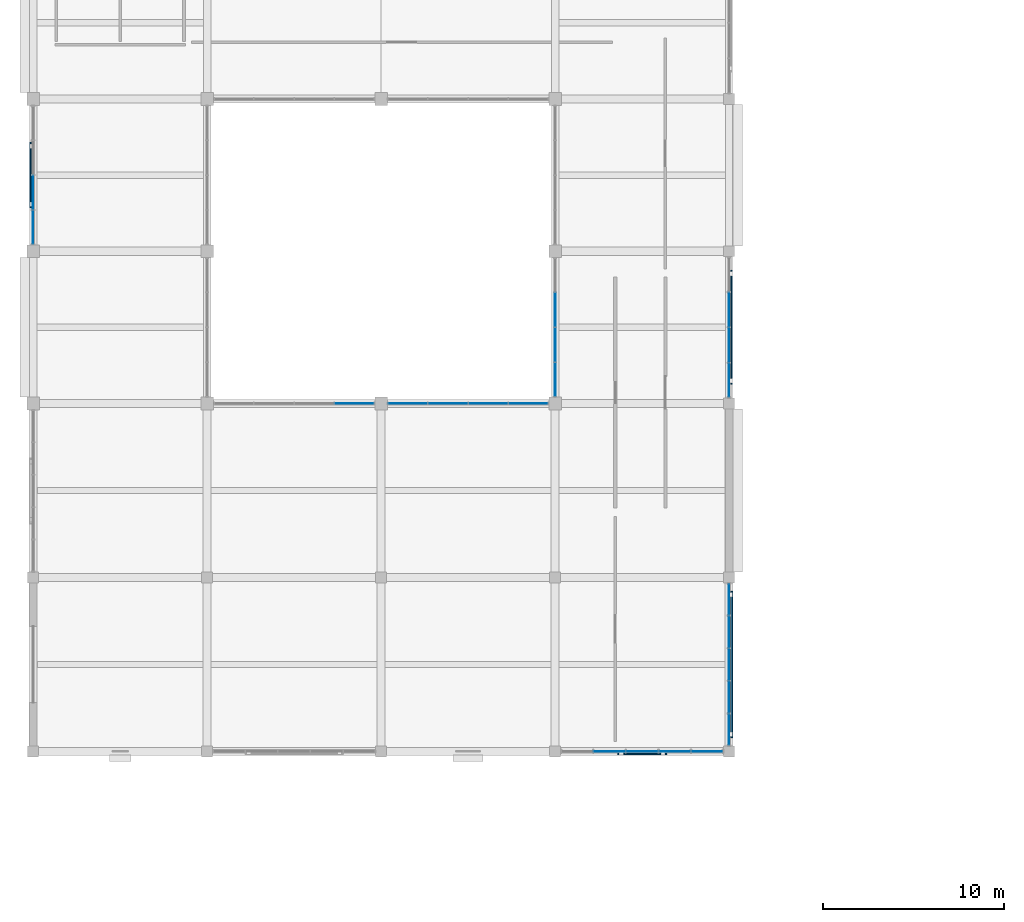
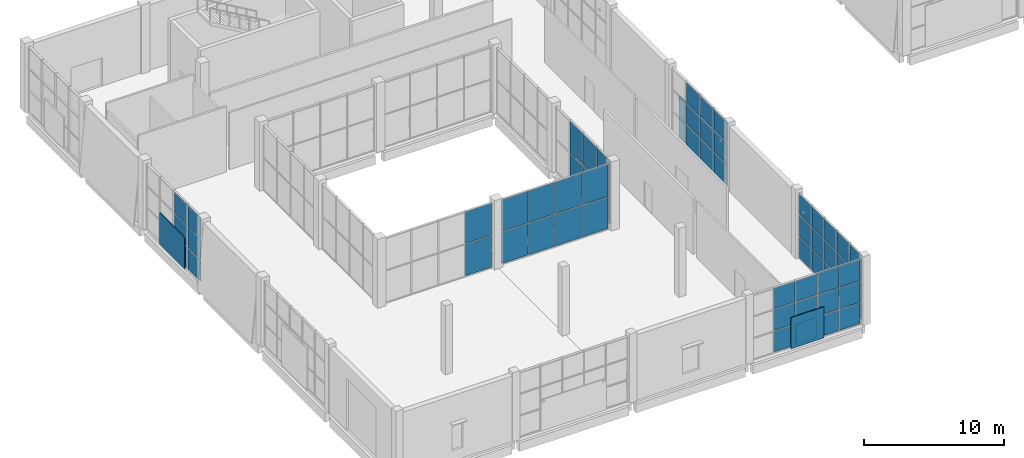
# One storey, part 46 of 84: 62 plates, 7 elements without a shape of their own.
"""IFC4 building model written with IfcOpenShell, lengths in metres."""

from ifc_helpers import new_model, si_unit, direction, frame, origin, origin_2d, place, context, subcontext, project, spatial, rectangle, extrude, material, layer, layer_set, type_object, element, aggregate, save


model = new_model("IFC4")

# Units and contexts
model_context = context("Model", 3, precision=1e-05, world=origin(), true_north=direction((0.0, 1.0)))
body_context = subcontext(model_context, "Body", "Model", "MODEL_VIEW")
ifc_project = project(units=[si_unit("LENGTHUNIT", "METRE"), si_unit("AREAUNIT", "SQUARE_METRE"), si_unit("VOLUMEUNIT", "CUBIC_METRE"), si_unit("PLANEANGLEUNIT", "RADIAN"), si_unit("MASSUNIT", "GRAM", prefix="KILO")], contexts=[model_context])

# Site, building, storey
site_placement = place(None, origin())
site = spatial("IfcSite", under=ifc_project, at=site_placement, CompositionType="ELEMENT")
building_placement = place(site_placement, origin())
building = spatial("IfcBuilding", under=site, at=building_placement, Name="Shalvenor Court Art Gallery", CompositionType="ELEMENT")
storey_placement = place(building_placement, origin())
storey = spatial("IfcBuildingStorey", under=building, at=storey_placement, Name="L00", CompositionType="ELEMENT", Elevation=0.0)

# Curtain wall, plates
ifc_material_1 = material(Name="Anodised aluminium and low-iron glass curtain wall", Category="aluminium")
curtain_wall_type_1 = type_object("IfcCurtainWallType", Name="CW-4x3-78-57-141", PredefinedType="USERDEFINED", material=ifc_material_1)
curtain_wall_1_placement = place(storey_placement, origin())
curtain_wall_1 = element("IfcCurtainWall", 1, at=curtain_wall_1_placement, inside=storey, type_object=curtain_wall_type_1, Name="L00 V5 Curtain Wall CW-L00-152", ObjectType="CURTAIN WALL", PredefinedType="USERDEFINED")
ifc_material_2 = material(Name="Low-iron UV-laminated double glazing IGU", Category="glass")
ifc_layer_1 = layer(ifc_material_2, 0.028076171875, Name="Low-iron UV-laminated double glazing IGU")
ifc_layer_set_1 = layer_set([ifc_layer_1], Name="Low-iron UV-laminated double glazing IGU")
plate_type_1 = type_object("IfcPlateType", Name="CWP-01", PredefinedType="CURTAIN_PANEL", material=ifc_layer_set_1)
plate_1_placement = place(storey_placement, frame((38.39990234375, 93.97509765625, 0.06982421875), z_axis=(0.0, 0.0, 1.0), x_axis=(0.0, -1.0, 0.0)))
plate_1 = element("IfcPlate", 2, at=plate_1_placement, type_object=plate_type_1, Name="CW-4x3-78-57-141 panel 2.1", PredefinedType="CURTAIN_PANEL", context=body_context, shape_type="SweptSolid", body=[
    extrude(rectangle(XDim=1.885009765625, YDim=0.028076171875, at=origin_2d()), origin(), (0.0, 0.0, 1.0), 1.788330078125),
])
plate_2_placement = place(storey_placement, frame((38.39990234375, 93.97509765625, 1.928466796875), z_axis=(0.0, 0.0, 1.0), x_axis=(0.0, -1.0, 0.0)))
plate_2 = element("IfcPlate", 3, at=plate_2_placement, type_object=plate_type_1, Name="CW-4x3-78-57-141 panel 2.2", PredefinedType="CURTAIN_PANEL", context=body_context, shape_type="SweptSolid", body=[
    extrude(rectangle(XDim=1.885009765625, YDim=0.028076171875, at=origin_2d()), origin(), (0.0, 0.0, 1.0), 1.8232421875),
])
plate_3_placement = place(storey_placement, frame((38.39990234375, 93.97509765625, 3.82177734375), z_axis=(0.0, 0.0, 1.0), x_axis=(0.0, -1.0, 0.0)))
plate_3 = element("IfcPlate", 4, at=plate_3_placement, type_object=plate_type_1, Name="CW-4x3-78-57-141 panel 2.3", PredefinedType="CURTAIN_PANEL", context=body_context, shape_type="SweptSolid", body=[
    extrude(rectangle(XDim=1.885009765625, YDim=0.028076171875, at=origin_2d()), origin(), (0.0, 0.0, 1.0), 1.788330078125),
])
plate_4_placement = place(storey_placement, frame((38.39990234375, 92.02490234375, 0.06982421875), z_axis=(0.0, 0.0, 1.0), x_axis=(0.0, -1.0, 0.0)))
plate_4 = element("IfcPlate", 5, at=plate_4_placement, type_object=plate_type_1, Name="CW-4x3-78-57-141 panel 3.1", PredefinedType="CURTAIN_PANEL", context=body_context, shape_type="SweptSolid", body=[
    extrude(rectangle(XDim=1.885009765625, YDim=0.028076171875, at=origin_2d()), origin(), (0.0, 0.0, 1.0), 1.788330078125),
])
plate_5_placement = place(storey_placement, frame((38.39990234375, 92.02490234375, 1.928466796875), z_axis=(0.0, 0.0, 1.0), x_axis=(0.0, -1.0, 0.0)))
plate_5 = element("IfcPlate", 6, at=plate_5_placement, type_object=plate_type_1, Name="CW-4x3-78-57-141 panel 3.2", PredefinedType="CURTAIN_PANEL", context=body_context, shape_type="SweptSolid", body=[
    extrude(rectangle(XDim=1.885009765625, YDim=0.028076171875, at=origin_2d()), origin(), (0.0, 0.0, 1.0), 1.8232421875),
])
plate_6_placement = place(storey_placement, frame((38.39990234375, 92.02490234375, 3.82177734375), z_axis=(0.0, 0.0, 1.0), x_axis=(0.0, -1.0, 0.0)))
plate_6 = element("IfcPlate", 7, at=plate_6_placement, type_object=plate_type_1, Name="CW-4x3-78-57-141 panel 3.3", PredefinedType="CURTAIN_PANEL", context=body_context, shape_type="SweptSolid", body=[
    extrude(rectangle(XDim=1.885009765625, YDim=0.028076171875, at=origin_2d()), origin(), (0.0, 0.0, 1.0), 1.788330078125),
])
plate_7_placement = place(storey_placement, frame((38.39990234375, 90.09130859375, 0.06982421875), z_axis=(0.0, 0.0, 1.0), x_axis=(0.0, -1.0, 0.0)))
plate_7 = element("IfcPlate", 8, at=plate_7_placement, type_object=plate_type_1, Name="CW-4x3-78-57-141 panel 4.1", PredefinedType="CURTAIN_PANEL", context=body_context, shape_type="SweptSolid", body=[
    extrude(rectangle(XDim=1.8525390625, YDim=0.028076171875, at=origin_2d()), origin(), (0.0, 0.0, 1.0), 1.788330078125),
])
plate_8_placement = place(storey_placement, frame((38.39990234375, 90.09130859375, 1.928466796875), z_axis=(0.0, 0.0, 1.0), x_axis=(0.0, -1.0, 0.0)))
plate_8 = element("IfcPlate", 9, at=plate_8_placement, type_object=plate_type_1, Name="CW-4x3-78-57-141 panel 4.2", PredefinedType="CURTAIN_PANEL", context=body_context, shape_type="SweptSolid", body=[
    extrude(rectangle(XDim=1.8525390625, YDim=0.028076171875, at=origin_2d()), origin(), (0.0, 0.0, 1.0), 1.8232421875),
])
plate_9_placement = place(storey_placement, frame((38.39990234375, 90.09130859375, 3.82177734375), z_axis=(0.0, 0.0, 1.0), x_axis=(0.0, -1.0, 0.0)))
plate_9 = element("IfcPlate", 10, at=plate_9_placement, type_object=plate_type_1, Name="CW-4x3-78-57-141 panel 4.3", PredefinedType="CURTAIN_PANEL", context=body_context, shape_type="SweptSolid", body=[
    extrude(rectangle(XDim=1.8525390625, YDim=0.028076171875, at=origin_2d()), origin(), (0.0, 0.0, 1.0), 1.788330078125),
])
aggregate(curtain_wall_1, [plate_1, plate_2, plate_3, plate_4, plate_5, plate_6, plate_7, plate_8, plate_9])

ifc_material_3 = material(Name="Anodised aluminium and low-iron glass curtain wall", Category="aluminium")
curtain_wall_type_2 = type_object("IfcCurtainWallType", Name="CW-5x3-90-57-211", PredefinedType="USERDEFINED", material=ifc_material_3)
curtain_wall_2_placement = place(storey_placement, origin())
curtain_wall_2 = element("IfcCurtainWall", 11, at=curtain_wall_2_placement, inside=storey, type_object=curtain_wall_type_2, Name="L00 V5 Curtain Wall CW-L00-153", ObjectType="CURTAIN WALL", PredefinedType="USERDEFINED")
plate_10_placement = place(storey_placement, frame((38.39990234375, 77.982421875, 0.06005859375), z_axis=(0.0, 0.0, 1.0), x_axis=(0.0, -1.0, 0.0)))
plate_10 = element("IfcPlate", 12, at=plate_10_placement, type_object=plate_type_1, Name="CW-5x3-90-57-211 panel 1.1", PredefinedType="CURTAIN_PANEL", context=body_context, shape_type="SweptSolid", body=[
    extrude(rectangle(XDim=1.695068359375, YDim=0.028076171875, at=origin_2d()), origin(), (0.0, 0.0, 1.0), 1.80322265625),
])
plate_11_placement = place(storey_placement, frame((38.39990234375, 77.982421875, 1.92333984375), z_axis=(0.0, 0.0, 1.0), x_axis=(0.0, -1.0, 0.0)))
plate_11 = element("IfcPlate", 13, at=plate_11_placement, type_object=plate_type_1, Name="CW-5x3-90-57-211 panel 1.2", PredefinedType="CURTAIN_PANEL", context=body_context, shape_type="SweptSolid", body=[
    extrude(rectangle(XDim=1.695068359375, YDim=0.028076171875, at=origin_2d()), origin(), (0.0, 0.0, 1.0), 1.833251953125),
])
plate_12_placement = place(storey_placement, frame((38.39990234375, 77.982421875, 3.816650390625), z_axis=(0.0, 0.0, 1.0), x_axis=(0.0, -1.0, 0.0)))
plate_12 = element("IfcPlate", 14, at=plate_12_placement, type_object=plate_type_1, Name="CW-5x3-90-57-211 panel 1.3", PredefinedType="CURTAIN_PANEL", context=body_context, shape_type="SweptSolid", body=[
    extrude(rectangle(XDim=1.695068359375, YDim=0.028076171875, at=origin_2d()), origin(), (0.0, 0.0, 1.0), 1.80322265625),
])
plate_13_placement = place(storey_placement, frame((38.39990234375, 76.199951171875, 0.06005859375), z_axis=(0.0, 0.0, 1.0), x_axis=(0.0, -1.0, 0.0)))
plate_13 = element("IfcPlate", 15, at=plate_13_placement, type_object=plate_type_1, Name="CW-5x3-90-57-211 panel 2.1", PredefinedType="CURTAIN_PANEL", context=body_context, shape_type="SweptSolid", body=[
    extrude(rectangle(XDim=1.72998046875, YDim=0.028076171875, at=origin_2d()), origin(), (0.0, 0.0, 1.0), 1.80322265625),
])
plate_14_placement = place(storey_placement, frame((38.39990234375, 76.199951171875, 1.92333984375), z_axis=(0.0, 0.0, 1.0), x_axis=(0.0, -1.0, 0.0)))
plate_14 = element("IfcPlate", 16, at=plate_14_placement, type_object=plate_type_1, Name="CW-5x3-90-57-211 panel 2.2", PredefinedType="CURTAIN_PANEL", context=body_context, shape_type="SweptSolid", body=[
    extrude(rectangle(XDim=1.72998046875, YDim=0.028076171875, at=origin_2d()), origin(), (0.0, 0.0, 1.0), 1.833251953125),
])
plate_15_placement = place(storey_placement, frame((38.39990234375, 76.199951171875, 3.816650390625), z_axis=(0.0, 0.0, 1.0), x_axis=(0.0, -1.0, 0.0)))
plate_15 = element("IfcPlate", 17, at=plate_15_placement, type_object=plate_type_1, Name="CW-5x3-90-57-211 panel 2.3", PredefinedType="CURTAIN_PANEL", context=body_context, shape_type="SweptSolid", body=[
    extrude(rectangle(XDim=1.72998046875, YDim=0.028076171875, at=origin_2d()), origin(), (0.0, 0.0, 1.0), 1.80322265625),
])
plate_16_placement = place(storey_placement, frame((38.39990234375, 74.39990234375, 0.06005859375), z_axis=(0.0, 0.0, 1.0), x_axis=(0.0, -1.0, 0.0)))
plate_16 = element("IfcPlate", 18, at=plate_16_placement, type_object=plate_type_1, Name="CW-5x3-90-57-211 panel 3.1", PredefinedType="CURTAIN_PANEL", context=body_context, shape_type="SweptSolid", body=[
    extrude(rectangle(XDim=1.72998046875, YDim=0.028076171875, at=origin_2d()), origin(), (0.0, 0.0, 1.0), 1.80322265625),
])
plate_17_placement = place(storey_placement, frame((38.39990234375, 74.39990234375, 1.92333984375), z_axis=(0.0, 0.0, 1.0), x_axis=(0.0, -1.0, 0.0)))
plate_17 = element("IfcPlate", 19, at=plate_17_placement, type_object=plate_type_1, Name="CW-5x3-90-57-211 panel 3.2", PredefinedType="CURTAIN_PANEL", context=body_context, shape_type="SweptSolid", body=[
    extrude(rectangle(XDim=1.72998046875, YDim=0.028076171875, at=origin_2d()), origin(), (0.0, 0.0, 1.0), 1.833251953125),
])
plate_18_placement = place(storey_placement, frame((38.39990234375, 74.39990234375, 3.816650390625), z_axis=(0.0, 0.0, 1.0), x_axis=(0.0, -1.0, 0.0)))
plate_18 = element("IfcPlate", 20, at=plate_18_placement, type_object=plate_type_1, Name="CW-5x3-90-57-211 panel 3.3", PredefinedType="CURTAIN_PANEL", context=body_context, shape_type="SweptSolid", body=[
    extrude(rectangle(XDim=1.72998046875, YDim=0.028076171875, at=origin_2d()), origin(), (0.0, 0.0, 1.0), 1.80322265625),
])
plate_19_placement = place(storey_placement, frame((38.39990234375, 72.60009765625, 0.06005859375), z_axis=(0.0, 0.0, 1.0), x_axis=(0.0, -1.0, 0.0)))
plate_19 = element("IfcPlate", 21, at=plate_19_placement, type_object=plate_type_1, Name="CW-5x3-90-57-211 panel 4.1", PredefinedType="CURTAIN_PANEL", context=body_context, shape_type="SweptSolid", body=[
    extrude(rectangle(XDim=1.72998046875, YDim=0.028076171875, at=origin_2d()), origin(), (0.0, 0.0, 1.0), 1.80322265625),
])
plate_20_placement = place(storey_placement, frame((38.39990234375, 72.60009765625, 1.92333984375), z_axis=(0.0, 0.0, 1.0), x_axis=(0.0, -1.0, 0.0)))
plate_20 = element("IfcPlate", 22, at=plate_20_placement, type_object=plate_type_1, Name="CW-5x3-90-57-211 panel 4.2", PredefinedType="CURTAIN_PANEL", context=body_context, shape_type="SweptSolid", body=[
    extrude(rectangle(XDim=1.72998046875, YDim=0.028076171875, at=origin_2d()), origin(), (0.0, 0.0, 1.0), 1.833251953125),
])
plate_21_placement = place(storey_placement, frame((38.39990234375, 72.60009765625, 3.816650390625), z_axis=(0.0, 0.0, 1.0), x_axis=(0.0, -1.0, 0.0)))
plate_21 = element("IfcPlate", 23, at=plate_21_placement, type_object=plate_type_1, Name="CW-5x3-90-57-211 panel 4.3", PredefinedType="CURTAIN_PANEL", context=body_context, shape_type="SweptSolid", body=[
    extrude(rectangle(XDim=1.72998046875, YDim=0.028076171875, at=origin_2d()), origin(), (0.0, 0.0, 1.0), 1.80322265625),
])
plate_22_placement = place(storey_placement, frame((38.39990234375, 70.8173828125, 0.06005859375), z_axis=(0.0, 0.0, 1.0), x_axis=(0.0, -1.0, 0.0)))
plate_22 = element("IfcPlate", 24, at=plate_22_placement, type_object=plate_type_1, Name="CW-5x3-90-57-211 panel 5.1", PredefinedType="CURTAIN_PANEL", context=body_context, shape_type="SweptSolid", body=[
    extrude(rectangle(XDim=1.695068359375, YDim=0.028076171875, at=origin_2d()), origin(), (0.0, 0.0, 1.0), 1.80322265625),
])
plate_23_placement = place(storey_placement, frame((38.39990234375, 70.8173828125, 1.92333984375), z_axis=(0.0, 0.0, 1.0), x_axis=(0.0, -1.0, 0.0)))
plate_23 = element("IfcPlate", 25, at=plate_23_placement, type_object=plate_type_1, Name="CW-5x3-90-57-211 panel 5.2", PredefinedType="CURTAIN_PANEL", context=body_context, shape_type="SweptSolid", body=[
    extrude(rectangle(XDim=1.695068359375, YDim=0.028076171875, at=origin_2d()), origin(), (0.0, 0.0, 1.0), 1.833251953125),
])
plate_24_placement = place(storey_placement, frame((38.39990234375, 70.8173828125, 3.816650390625), z_axis=(0.0, 0.0, 1.0), x_axis=(0.0, -1.0, 0.0)))
plate_24 = element("IfcPlate", 26, at=plate_24_placement, type_object=plate_type_1, Name="CW-5x3-90-57-211 panel 5.3", PredefinedType="CURTAIN_PANEL", context=body_context, shape_type="SweptSolid", body=[
    extrude(rectangle(XDim=1.695068359375, YDim=0.028076171875, at=origin_2d()), origin(), (0.0, 0.0, 1.0), 1.80322265625),
])
aggregate(curtain_wall_2, [plate_10, plate_11, plate_12, plate_13, plate_14, plate_15, plate_16, plate_17, plate_18, plate_19, plate_20, plate_21, plate_22, plate_23, plate_24])

ifc_material_4 = material(Name="Anodised aluminium and low-iron glass curtain wall", Category="aluminium")
curtain_wall_type_3 = type_object("IfcCurtainWallType", Name="CW-5x3-90-57-421", PredefinedType="USERDEFINED", material=ifc_material_4)
curtain_wall_3_placement = place(storey_placement, origin())
curtain_wall_3 = element("IfcCurtainWall", 27, at=curtain_wall_3_placement, inside=storey, type_object=curtain_wall_type_3, Name="L00 V5 Curtain Wall CW-L00-154", ObjectType="CURTAIN WALL", PredefinedType="USERDEFINED")
plate_25_placement = place(storey_placement, frame((37.18115234375, 69.60009765625, 0.06494140625), z_axis=(0.0, 0.0, 1.0), x_axis=(-1.0, 0.0, 0.0)))
plate_25 = element("IfcPlate", 28, at=plate_25_placement, type_object=plate_type_1, Name="CW-5x3-90-57-421 panel 1.1", PredefinedType="CURTAIN_PANEL", context=body_context, shape_type="SweptSolid", body=[
    extrude(rectangle(XDim=1.6875, YDim=0.028076171875, at=origin_2d()), origin(), (0.0, 0.0, 1.0), 1.7958984375),
])
plate_26_placement = place(storey_placement, frame((37.18115234375, 69.60009765625, 1.92578125), z_axis=(0.0, 0.0, 1.0), x_axis=(-1.0, 0.0, 0.0)))
plate_26 = element("IfcPlate", 29, at=plate_26_placement, type_object=plate_type_1, Name="CW-5x3-90-57-421 panel 1.2", PredefinedType="CURTAIN_PANEL", context=body_context, shape_type="SweptSolid", body=[
    extrude(rectangle(XDim=1.6875, YDim=0.028076171875, at=origin_2d()), origin(), (0.0, 0.0, 1.0), 1.828369140625),
])
plate_27_placement = place(storey_placement, frame((37.18115234375, 69.60009765625, 3.819091796875), z_axis=(0.0, 0.0, 1.0), x_axis=(-1.0, 0.0, 0.0)))
plate_27 = element("IfcPlate", 30, at=plate_27_placement, type_object=plate_type_1, Name="CW-5x3-90-57-421 panel 1.3", PredefinedType="CURTAIN_PANEL", context=body_context, shape_type="SweptSolid", body=[
    extrude(rectangle(XDim=1.6875, YDim=0.028076171875, at=origin_2d()), origin(), (0.0, 0.0, 1.0), 1.7958984375),
])
plate_28_placement = place(storey_placement, frame((35.39990234375, 69.60009765625, 0.06494140625), z_axis=(0.0, 0.0, 1.0), x_axis=(-1.0, 0.0, 0.0)))
plate_28 = element("IfcPlate", 31, at=plate_28_placement, type_object=plate_type_1, Name="CW-5x3-90-57-421 panel 2.1", PredefinedType="CURTAIN_PANEL", context=body_context, shape_type="SweptSolid", body=[
    extrude(rectangle(XDim=1.72509765625, YDim=0.028076171875, at=origin_2d()), origin(), (0.0, 0.0, 1.0), 1.7958984375),
])
plate_29_placement = place(storey_placement, frame((35.39990234375, 69.60009765625, 1.92578125), z_axis=(0.0, 0.0, 1.0), x_axis=(-1.0, 0.0, 0.0)))
plate_29 = element("IfcPlate", 32, at=plate_29_placement, type_object=plate_type_1, Name="CW-5x3-90-57-421 panel 2.2", PredefinedType="CURTAIN_PANEL", context=body_context, shape_type="SweptSolid", body=[
    extrude(rectangle(XDim=1.72509765625, YDim=0.028076171875, at=origin_2d()), origin(), (0.0, 0.0, 1.0), 1.828369140625),
])
plate_30_placement = place(storey_placement, frame((35.39990234375, 69.60009765625, 3.819091796875), z_axis=(0.0, 0.0, 1.0), x_axis=(-1.0, 0.0, 0.0)))
plate_30 = element("IfcPlate", 33, at=plate_30_placement, type_object=plate_type_1, Name="CW-5x3-90-57-421 panel 2.3", PredefinedType="CURTAIN_PANEL", context=body_context, shape_type="SweptSolid", body=[
    extrude(rectangle(XDim=1.72509765625, YDim=0.028076171875, at=origin_2d()), origin(), (0.0, 0.0, 1.0), 1.7958984375),
])
plate_31_placement = place(storey_placement, frame((33.60009765625, 69.60009765625, 0.06494140625), z_axis=(0.0, 0.0, 1.0), x_axis=(-1.0, 0.0, 0.0)))
plate_31 = element("IfcPlate", 34, at=plate_31_placement, type_object=plate_type_1, Name="CW-5x3-90-57-421 panel 3.1", PredefinedType="CURTAIN_PANEL", context=body_context, shape_type="SweptSolid", body=[
    extrude(rectangle(XDim=1.72509765625, YDim=0.028076171875, at=origin_2d()), origin(), (0.0, 0.0, 1.0), 1.7958984375),
])
plate_32_placement = place(storey_placement, frame((33.60009765625, 69.60009765625, 1.92578125), z_axis=(0.0, 0.0, 1.0), x_axis=(-1.0, 0.0, 0.0)))
plate_32 = element("IfcPlate", 35, at=plate_32_placement, type_object=plate_type_1, Name="CW-5x3-90-57-421 panel 3.2", PredefinedType="CURTAIN_PANEL", context=body_context, shape_type="SweptSolid", body=[
    extrude(rectangle(XDim=1.72509765625, YDim=0.028076171875, at=origin_2d()), origin(), (0.0, 0.0, 1.0), 1.828369140625),
])
plate_33_placement = place(storey_placement, frame((33.60009765625, 69.60009765625, 3.819091796875), z_axis=(0.0, 0.0, 1.0), x_axis=(-1.0, 0.0, 0.0)))
plate_33 = element("IfcPlate", 36, at=plate_33_placement, type_object=plate_type_1, Name="CW-5x3-90-57-421 panel 3.3", PredefinedType="CURTAIN_PANEL", context=body_context, shape_type="SweptSolid", body=[
    extrude(rectangle(XDim=1.72509765625, YDim=0.028076171875, at=origin_2d()), origin(), (0.0, 0.0, 1.0), 1.7958984375),
])
plate_34_placement = place(storey_placement, frame((31.800048828125, 69.60009765625, 0.06494140625), z_axis=(0.0, 0.0, 1.0), x_axis=(-1.0, 0.0, 0.0)))
plate_34 = element("IfcPlate", 37, at=plate_34_placement, type_object=plate_type_1, Name="CW-5x3-90-57-421 panel 4.1", PredefinedType="CURTAIN_PANEL", context=body_context, shape_type="SweptSolid", body=[
    extrude(rectangle(XDim=1.72509765625, YDim=0.028076171875, at=origin_2d()), origin(), (0.0, 0.0, 1.0), 1.7958984375),
])
plate_35_placement = place(storey_placement, frame((31.800048828125, 69.60009765625, 1.92578125), z_axis=(0.0, 0.0, 1.0), x_axis=(-1.0, 0.0, 0.0)))
plate_35 = element("IfcPlate", 38, at=plate_35_placement, type_object=plate_type_1, Name="CW-5x3-90-57-421 panel 4.2", PredefinedType="CURTAIN_PANEL", context=body_context, shape_type="SweptSolid", body=[
    extrude(rectangle(XDim=1.72509765625, YDim=0.028076171875, at=origin_2d()), origin(), (0.0, 0.0, 1.0), 1.828369140625),
])
plate_36_placement = place(storey_placement, frame((31.800048828125, 69.60009765625, 3.819091796875), z_axis=(0.0, 0.0, 1.0), x_axis=(-1.0, 0.0, 0.0)))
plate_36 = element("IfcPlate", 39, at=plate_36_placement, type_object=plate_type_1, Name="CW-5x3-90-57-421 panel 4.3", PredefinedType="CURTAIN_PANEL", context=body_context, shape_type="SweptSolid", body=[
    extrude(rectangle(XDim=1.72509765625, YDim=0.028076171875, at=origin_2d()), origin(), (0.0, 0.0, 1.0), 1.7958984375),
])
aggregate(curtain_wall_3, [plate_25, plate_26, plate_27, plate_28, plate_29, plate_30, plate_31, plate_32, plate_33, plate_34, plate_35, plate_36])

ifc_material_5 = material(Name="Anodised aluminium and low-iron glass curtain wall", Category="aluminium")
curtain_wall_type_4 = type_object("IfcCurtainWallType", Name="CW-4x3-77-57-221", PredefinedType="USERDEFINED", material=ifc_material_5)
curtain_wall_4_placement = place(storey_placement, origin())
curtain_wall_4 = element("IfcCurtainWall", 40, at=curtain_wall_4_placement, inside=storey, type_object=curtain_wall_type_4, Name="L00 V5 Curtain Wall CW-L00-157", ObjectType="CURTAIN WALL", PredefinedType="USERDEFINED")
plate_37_placement = place(storey_placement, frame((0.0, 98.530029296875, 0.06494140625), z_axis=(0.0, 0.0, 1.0), x_axis=(0.0, 1.0, 0.0)))
plate_37 = element("IfcPlate", 41, at=plate_37_placement, type_object=plate_type_1, Name="CW-4x3-77-57-221 panel 1.1", PredefinedType="CURTAIN_PANEL", context=body_context, shape_type="SweptSolid", body=[
    extrude(rectangle(XDim=1.820068359375, YDim=0.028076171875, at=origin_2d()), origin(), (0.0, 0.0, 1.0), 1.7958984375),
])
plate_38_placement = place(storey_placement, frame((0.0, 98.530029296875, 1.92578125), z_axis=(0.0, 0.0, 1.0), x_axis=(0.0, 1.0, 0.0)))
plate_38 = element("IfcPlate", 42, at=plate_38_placement, type_object=plate_type_1, Name="CW-4x3-77-57-221 panel 1.2", PredefinedType="CURTAIN_PANEL", context=body_context, shape_type="SweptSolid", body=[
    extrude(rectangle(XDim=1.820068359375, YDim=0.028076171875, at=origin_2d()), origin(), (0.0, 0.0, 1.0), 1.828369140625),
])
plate_39_placement = place(storey_placement, frame((0.0, 98.530029296875, 3.819091796875), z_axis=(0.0, 0.0, 1.0), x_axis=(0.0, 1.0, 0.0)))
plate_39 = element("IfcPlate", 43, at=plate_39_placement, type_object=plate_type_1, Name="CW-4x3-77-57-221 panel 1.3", PredefinedType="CURTAIN_PANEL", context=body_context, shape_type="SweptSolid", body=[
    extrude(rectangle(XDim=1.820068359375, YDim=0.028076171875, at=origin_2d()), origin(), (0.0, 0.0, 1.0), 1.7958984375),
])
plate_40_placement = place(storey_placement, frame((0.0, 100.4375, 0.06494140625), z_axis=(0.0, 0.0, 1.0), x_axis=(0.0, 1.0, 0.0)))
plate_40 = element("IfcPlate", 44, at=plate_40_placement, type_object=plate_type_1, Name="CW-4x3-77-57-221 panel 2.1", PredefinedType="CURTAIN_PANEL", context=body_context, shape_type="SweptSolid", body=[
    extrude(rectangle(XDim=1.85498046875, YDim=0.028076171875, at=origin_2d()), origin(), (0.0, 0.0, 1.0), 1.7958984375),
])
plate_41_placement = place(storey_placement, frame((0.0, 100.4375, 1.92578125), z_axis=(0.0, 0.0, 1.0), x_axis=(0.0, 1.0, 0.0)))
plate_41 = element("IfcPlate", 45, at=plate_41_placement, type_object=plate_type_1, Name="CW-4x3-77-57-221 panel 2.2", PredefinedType="CURTAIN_PANEL", context=body_context, shape_type="SweptSolid", body=[
    extrude(rectangle(XDim=1.85498046875, YDim=0.028076171875, at=origin_2d()), origin(), (0.0, 0.0, 1.0), 1.828369140625),
])
plate_42_placement = place(storey_placement, frame((0.0, 100.4375, 3.819091796875), z_axis=(0.0, 0.0, 1.0), x_axis=(0.0, 1.0, 0.0)))
plate_42 = element("IfcPlate", 46, at=plate_42_placement, type_object=plate_type_1, Name="CW-4x3-77-57-221 panel 2.3", PredefinedType="CURTAIN_PANEL", context=body_context, shape_type="SweptSolid", body=[
    extrude(rectangle(XDim=1.85498046875, YDim=0.028076171875, at=origin_2d()), origin(), (0.0, 0.0, 1.0), 1.7958984375),
])
aggregate(curtain_wall_4, [plate_37, plate_38, plate_39, plate_40, plate_41, plate_42])

ifc_material_6 = material(Name="Anodised aluminium and low-iron glass curtain wall", Category="aluminium")
curtain_wall_type_5 = type_object("IfcCurtainWallType", Name="CW-CT-4-89", PredefinedType="USERDEFINED", material=ifc_material_6)
curtain_wall_5_placement = place(storey_placement, origin())
curtain_wall_5 = element("IfcCurtainWall", 47, at=curtain_wall_5_placement, inside=storey, type_object=curtain_wall_type_5, Name="L00 Studios Courtyard Curtain Wall CW-CRT-L00-159", ObjectType="CURTAIN WALL", PredefinedType="USERDEFINED")
ifc_material_7 = material(Name="Acoustic laminated courtyard curtain glazing IGU", Category="glass")
ifc_layer_2 = layer(ifc_material_7, 0.0400390625, Name="Acoustic laminated courtyard curtain glazing IGU")
ifc_layer_set_2 = layer_set([ifc_layer_2], Name="Acoustic laminated courtyard curtain glazing IGU")
plate_type_2 = type_object("IfcPlateType", Name="CWP-05", PredefinedType="CURTAIN_PANEL", material=ifc_layer_set_2)
plate_43_placement = place(storey_placement, frame((17.7236328125, 88.800048828125, 0.06494140625), z_axis=(0.0, 0.0, 1.0), x_axis=(1.0, 0.0, 0.0)))
plate_43 = element("IfcPlate", 48, at=plate_43_placement, type_object=plate_type_2, Name="CW-CT-4-89 panel 4.1", PredefinedType="CURTAIN_PANEL", context=body_context, shape_type="SweptSolid", body=[
    extrude(rectangle(XDim=2.142578125, YDim=0.0400390625, at=origin_2d()), origin(), (0.0, 0.0, 1.0), 2.742431640625),
])
plate_44_placement = place(storey_placement, frame((17.7236328125, 88.800048828125, 2.87255859375), z_axis=(0.0, 0.0, 1.0), x_axis=(1.0, 0.0, 0.0)))
plate_44 = element("IfcPlate", 49, at=plate_44_placement, type_object=plate_type_2, Name="CW-CT-4-89 panel 4.2", PredefinedType="CURTAIN_PANEL", context=body_context, shape_type="SweptSolid", body=[
    extrude(rectangle(XDim=2.142578125, YDim=0.0400390625, at=origin_2d()), origin(), (0.0, 0.0, 1.0), 2.742431640625),
])
aggregate(curtain_wall_5, [plate_43, plate_44])

curtain_wall_6_placement = place(storey_placement, origin())
curtain_wall_6 = element("IfcCurtainWall", 50, at=curtain_wall_6_placement, inside=storey, type_object=curtain_wall_type_5, Name="L00 Studios Courtyard Curtain Wall CW-CRT-L00-160", ObjectType="CURTAIN WALL", PredefinedType="USERDEFINED")
plate_45_placement = place(storey_placement, frame((20.67626953125, 88.800048828125, 0.06494140625), z_axis=(0.0, 0.0, 1.0), x_axis=(1.0, 0.0, 0.0)))
plate_45 = element("IfcPlate", 51, at=plate_45_placement, type_object=plate_type_2, Name="CW-CT-4-89 panel 1.1", PredefinedType="CURTAIN_PANEL", context=body_context, shape_type="SweptSolid", body=[
    extrude(rectangle(XDim=2.142578125, YDim=0.0400390625, at=origin_2d()), origin(), (0.0, 0.0, 1.0), 2.742431640625),
])
plate_46_placement = place(storey_placement, frame((20.67626953125, 88.800048828125, 2.87255859375), z_axis=(0.0, 0.0, 1.0), x_axis=(1.0, 0.0, 0.0)))
plate_46 = element("IfcPlate", 52, at=plate_46_placement, type_object=plate_type_2, Name="CW-CT-4-89 panel 1.2", PredefinedType="CURTAIN_PANEL", context=body_context, shape_type="SweptSolid", body=[
    extrude(rectangle(XDim=2.142578125, YDim=0.0400390625, at=origin_2d()), origin(), (0.0, 0.0, 1.0), 2.742431640625),
])
plate_47_placement = place(storey_placement, frame((22.887451171875, 88.800048828125, 0.06494140625), z_axis=(0.0, 0.0, 1.0), x_axis=(1.0, 0.0, 0.0)))
plate_47 = element("IfcPlate", 53, at=plate_47_placement, type_object=plate_type_2, Name="CW-CT-4-89 panel 2.1", PredefinedType="CURTAIN_PANEL", context=body_context, shape_type="SweptSolid", body=[
    extrude(rectangle(XDim=2.169921875, YDim=0.0400390625, at=origin_2d()), origin(), (0.0, 0.0, 1.0), 2.742431640625),
])
plate_48_placement = place(storey_placement, frame((22.887451171875, 88.800048828125, 2.87255859375), z_axis=(0.0, 0.0, 1.0), x_axis=(1.0, 0.0, 0.0)))
plate_48 = element("IfcPlate", 54, at=plate_48_placement, type_object=plate_type_2, Name="CW-CT-4-89 panel 2.2", PredefinedType="CURTAIN_PANEL", context=body_context, shape_type="SweptSolid", body=[
    extrude(rectangle(XDim=2.169921875, YDim=0.0400390625, at=origin_2d()), origin(), (0.0, 0.0, 1.0), 2.742431640625),
])
plate_49_placement = place(storey_placement, frame((25.112548828125, 88.800048828125, 0.06494140625), z_axis=(0.0, 0.0, 1.0), x_axis=(1.0, 0.0, 0.0)))
plate_49 = element("IfcPlate", 55, at=plate_49_placement, type_object=plate_type_2, Name="CW-CT-4-89 panel 3.1", PredefinedType="CURTAIN_PANEL", context=body_context, shape_type="SweptSolid", body=[
    extrude(rectangle(XDim=2.169921875, YDim=0.0400390625, at=origin_2d()), origin(), (0.0, 0.0, 1.0), 2.742431640625),
])
plate_50_placement = place(storey_placement, frame((25.112548828125, 88.800048828125, 2.87255859375), z_axis=(0.0, 0.0, 1.0), x_axis=(1.0, 0.0, 0.0)))
plate_50 = element("IfcPlate", 56, at=plate_50_placement, type_object=plate_type_2, Name="CW-CT-4-89 panel 3.2", PredefinedType="CURTAIN_PANEL", context=body_context, shape_type="SweptSolid", body=[
    extrude(rectangle(XDim=2.169921875, YDim=0.0400390625, at=origin_2d()), origin(), (0.0, 0.0, 1.0), 2.742431640625),
])
plate_51_placement = place(storey_placement, frame((27.32373046875, 88.800048828125, 0.06494140625), z_axis=(0.0, 0.0, 1.0), x_axis=(1.0, 0.0, 0.0)))
plate_51 = element("IfcPlate", 57, at=plate_51_placement, type_object=plate_type_2, Name="CW-CT-4-89 panel 4.1", PredefinedType="CURTAIN_PANEL", context=body_context, shape_type="SweptSolid", body=[
    extrude(rectangle(XDim=2.142578125, YDim=0.0400390625, at=origin_2d()), origin(), (0.0, 0.0, 1.0), 2.742431640625),
])
plate_52_placement = place(storey_placement, frame((27.32373046875, 88.800048828125, 2.87255859375), z_axis=(0.0, 0.0, 1.0), x_axis=(1.0, 0.0, 0.0)))
plate_52 = element("IfcPlate", 58, at=plate_52_placement, type_object=plate_type_2, Name="CW-CT-4-89 panel 4.2", PredefinedType="CURTAIN_PANEL", context=body_context, shape_type="SweptSolid", body=[
    extrude(rectangle(XDim=2.142578125, YDim=0.0400390625, at=origin_2d()), origin(), (0.0, 0.0, 1.0), 2.742431640625),
])
aggregate(curtain_wall_6, [plate_45, plate_46, plate_47, plate_48, plate_49, plate_50, plate_51, plate_52])

ifc_material_8 = material(Name="Anodised aluminium and low-iron glass curtain wall", Category="aluminium")
curtain_wall_type_6 = type_object("IfcCurtainWallType", Name="CW-CT-4-77", PredefinedType="USERDEFINED", material=ifc_material_8)
curtain_wall_7_placement = place(storey_placement, origin())
curtain_wall_7 = element("IfcCurtainWall", 59, at=curtain_wall_7_placement, inside=storey, type_object=curtain_wall_type_6, Name="L00 Studios Courtyard Curtain Wall CW-CRT-L00-161", ObjectType="CURTAIN WALL", PredefinedType="USERDEFINED")
plate_53_placement = place(storey_placement, frame((28.800048828125, 90.126220703125, 0.06494140625), z_axis=(0.0, 0.0, 1.0), x_axis=(0.0, 1.0, 0.0)))
plate_53 = element("IfcPlate", 60, at=plate_53_placement, type_object=plate_type_2, Name="CW-CT-4-77 panel 1.1", PredefinedType="CURTAIN_PANEL", context=body_context, shape_type="SweptSolid", body=[
    extrude(rectangle(XDim=1.842529296875, YDim=0.0400390625, at=origin_2d()), origin(), (0.0, 0.0, 1.0), 2.742431640625),
])
plate_54_placement = place(storey_placement, frame((28.800048828125, 90.126220703125, 2.87255859375), z_axis=(0.0, 0.0, 1.0), x_axis=(0.0, 1.0, 0.0)))
plate_54 = element("IfcPlate", 61, at=plate_54_placement, type_object=plate_type_2, Name="CW-CT-4-77 panel 1.2", PredefinedType="CURTAIN_PANEL", context=body_context, shape_type="SweptSolid", body=[
    extrude(rectangle(XDim=1.842529296875, YDim=0.0400390625, at=origin_2d()), origin(), (0.0, 0.0, 1.0), 2.742431640625),
])
plate_55_placement = place(storey_placement, frame((28.800048828125, 92.03759765625, 0.06494140625), z_axis=(0.0, 0.0, 1.0), x_axis=(0.0, 1.0, 0.0)))
plate_55 = element("IfcPlate", 62, at=plate_55_placement, type_object=plate_type_2, Name="CW-CT-4-77 panel 2.1", PredefinedType="CURTAIN_PANEL", context=body_context, shape_type="SweptSolid", body=[
    extrude(rectangle(XDim=1.8701171875, YDim=0.0400390625, at=origin_2d()), origin(), (0.0, 0.0, 1.0), 2.742431640625),
])
plate_56_placement = place(storey_placement, frame((28.800048828125, 92.03759765625, 2.87255859375), z_axis=(0.0, 0.0, 1.0), x_axis=(0.0, 1.0, 0.0)))
plate_56 = element("IfcPlate", 63, at=plate_56_placement, type_object=plate_type_2, Name="CW-CT-4-77 panel 2.2", PredefinedType="CURTAIN_PANEL", context=body_context, shape_type="SweptSolid", body=[
    extrude(rectangle(XDim=1.8701171875, YDim=0.0400390625, at=origin_2d()), origin(), (0.0, 0.0, 1.0), 2.742431640625),
])
plate_57_placement = place(storey_placement, frame((28.800048828125, 93.96240234375, 0.06494140625), z_axis=(0.0, 0.0, 1.0), x_axis=(0.0, 1.0, 0.0)))
plate_57 = element("IfcPlate", 64, at=plate_57_placement, type_object=plate_type_2, Name="CW-CT-4-77 panel 3.1", PredefinedType="CURTAIN_PANEL", context=body_context, shape_type="SweptSolid", body=[
    extrude(rectangle(XDim=1.8701171875, YDim=0.0400390625, at=origin_2d()), origin(), (0.0, 0.0, 1.0), 2.742431640625),
])
plate_58_placement = place(storey_placement, frame((28.800048828125, 93.96240234375, 2.87255859375), z_axis=(0.0, 0.0, 1.0), x_axis=(0.0, 1.0, 0.0)))
plate_58 = element("IfcPlate", 65, at=plate_58_placement, type_object=plate_type_2, Name="CW-CT-4-77 panel 3.2", PredefinedType="CURTAIN_PANEL", context=body_context, shape_type="SweptSolid", body=[
    extrude(rectangle(XDim=1.8701171875, YDim=0.0400390625, at=origin_2d()), origin(), (0.0, 0.0, 1.0), 2.742431640625),
])
aggregate(curtain_wall_7, [plate_53, plate_54, plate_55, plate_56, plate_57, plate_58])

# Plates
ifc_material_9 = material(Name="Perforated pale limestone GRC lattice", Category="masonry")
ifc_layer_3 = layer(ifc_material_9, 0.090087890625, Name="Perforated pale limestone GRC lattice")
ifc_layer_set_3 = layer_set([ifc_layer_3], Name="Perforated pale limestone GRC lattice")
plate_type_3 = type_object("IfcPlateType", Name="SCR-05", PredefinedType="USERDEFINED", material=ifc_layer_set_3)
plate_59_placement = place(storey_placement, frame((38.532958984375, 93.0, 0.0), z_axis=(0.0, 0.0, 1.0), x_axis=(0.0, -1.0, 0.0)))
element("IfcPlate", 66, at=plate_59_placement, inside=storey, type_object=plate_type_3, Name="L00 V5 Perforated Stone Lattice Screen PLT-SCR-0137", ObjectType="SCREEN", PredefinedType="USERDEFINED", context=body_context, shape_type="SweptSolid", body=[
    extrude(rectangle(XDim=6.300048828125, YDim=0.090087890625, at=origin_2d()), origin(), (0.0, 0.0, 1.0), 3.60009765625),
])
ifc_material_10 = material(Name="Perforated pale limestone GRC lattice", Category="masonry")
ifc_layer_4 = layer(ifc_material_10, 0.090087890625, Name="Perforated pale limestone GRC lattice")
ifc_layer_set_4 = layer_set([ifc_layer_4], Name="Perforated pale limestone GRC lattice")
plate_type_4 = type_object("IfcPlateType", Name="SCR-10", PredefinedType="USERDEFINED", material=ifc_layer_set_4)
plate_60_placement = place(storey_placement, frame((-0.14306640625, 101.39990234375, 0.0), z_axis=(0.0, 0.0, 1.0), x_axis=(0.0, 1.0, 0.0)))
element("IfcPlate", 67, at=plate_60_placement, inside=storey, type_object=plate_type_4, Name="L00 V5 Perforated Stone Lattice Screen PLT-SCR-0142", ObjectType="SCREEN", PredefinedType="USERDEFINED", context=body_context, shape_type="SweptSolid", body=[
    extrude(rectangle(XDim=3.60009765625, YDim=0.090087890625, at=origin_2d()), origin(), (0.0, 0.0, 1.0), 2.699951171875),
])
ifc_material_11 = material(Name="Perforated pale limestone GRC lattice", Category="masonry")
ifc_layer_5 = layer(ifc_material_11, 0.094970703125, Name="Perforated pale limestone GRC lattice")
ifc_layer_set_5 = layer_set([ifc_layer_5], Name="Perforated pale limestone GRC lattice")
plate_type_5 = type_object("IfcPlateType", Name="SCR-12", PredefinedType="USERDEFINED", material=ifc_layer_set_5)
plate_61_placement = place(storey_placement, frame((38.54541015625, 74.39990234375, 0.0), z_axis=(0.0, 0.0, 1.0), x_axis=(0.0, -1.0, 0.0)))
element("IfcPlate", 68, at=plate_61_placement, inside=storey, type_object=plate_type_5, Name="L00 V5 Perforated Stone Lattice Screen PLT-SCR-0138", ObjectType="SCREEN", PredefinedType="USERDEFINED", context=body_context, shape_type="SweptSolid", body=[
    extrude(rectangle(XDim=8.10009765625, YDim=0.094970703125, at=origin_2d()), origin(), (0.0, 0.0, 1.0), 4.5),
])
ifc_material_12 = material(Name="Perforated pale limestone GRC lattice", Category="masonry")
ifc_layer_6 = layer(ifc_material_12, 0.0849609375, Name="Perforated pale limestone GRC lattice")
ifc_layer_set_6 = layer_set([ifc_layer_6], Name="Perforated pale limestone GRC lattice")
plate_type_6 = type_object("IfcPlateType", Name="SCR-13", PredefinedType="USERDEFINED", material=ifc_layer_set_6)
plate_62_placement = place(storey_placement, frame((33.60009765625, 69.449462890625, 0.0), z_axis=(0.0, 0.0, 1.0), x_axis=(-1.0, 0.0, 0.0)))
element("IfcPlate", 69, at=plate_62_placement, inside=storey, type_object=plate_type_6, Name="L00 V5 Perforated Stone Lattice Screen PLT-SCR-0139", ObjectType="SCREEN", PredefinedType="USERDEFINED", context=body_context, shape_type="SweptSolid", body=[
    extrude(rectangle(XDim=2.699951171875, YDim=0.0849609375, at=origin_2d()), origin(), (0.0, 0.0, 1.0), 2.699951171875),
])

save(model, "model.ifc")
